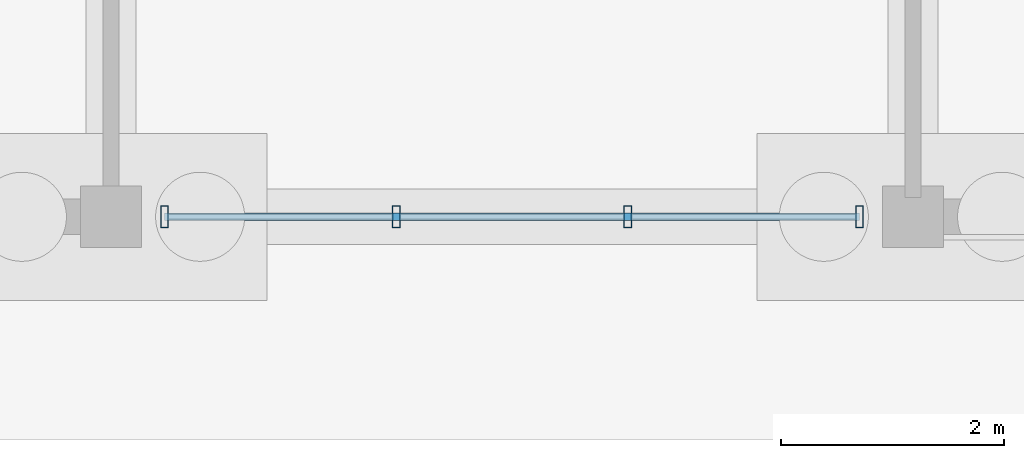
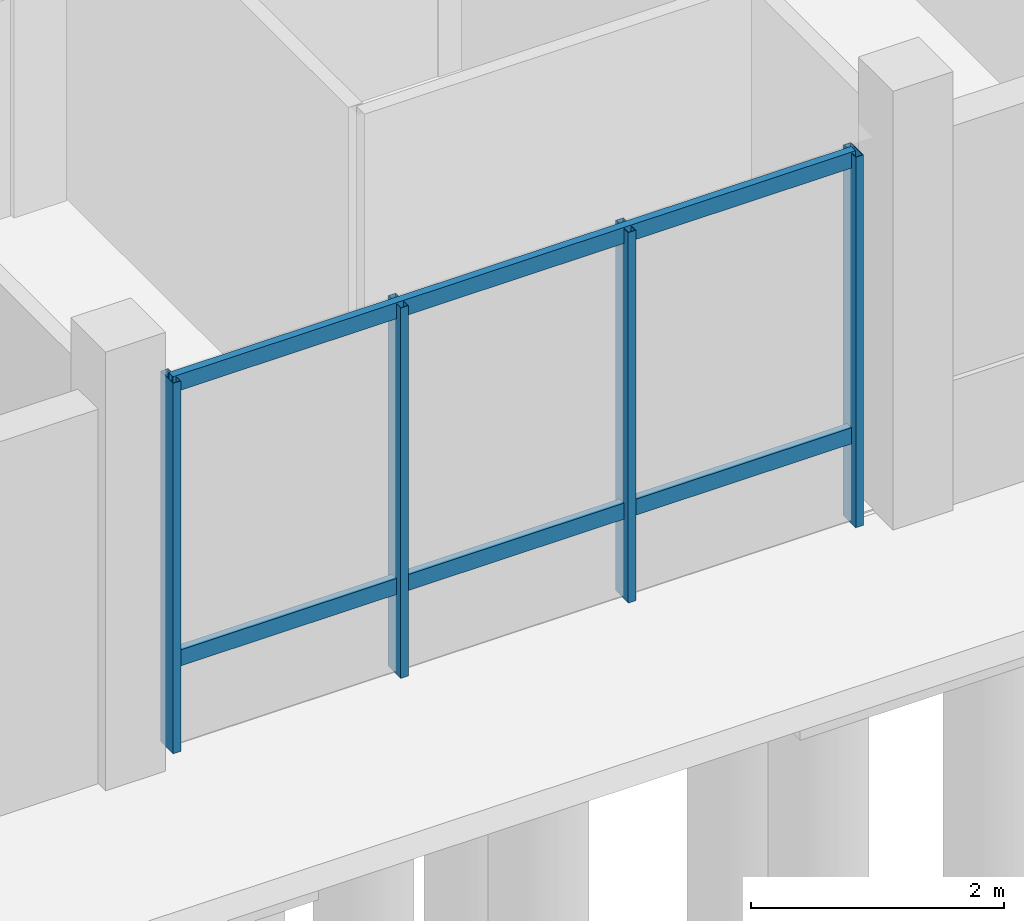
# One storey, part 46 of 98: 6 members, 1 element without a shape of its own.
"""IFC4 building model written with IfcOpenShell, lengths in metres."""

from ifc_helpers import new_model, si_unit, direction, frame, origin, origin_2d, place, context, subcontext, project, spatial, hollow_rectangle, extrude, material, material_profile, profile_set, type_object, element, aggregate, save


model = new_model("IFC4")

# Units and contexts
model_context = context("Model", 3, precision=1e-05, world=origin(), true_north=direction((0.0, 1.0)))
body_context = subcontext(model_context, "Body", "Model", "MODEL_VIEW")
ifc_project = project(units=[si_unit("LENGTHUNIT", "METRE"), si_unit("AREAUNIT", "SQUARE_METRE"), si_unit("VOLUMEUNIT", "CUBIC_METRE"), si_unit("PLANEANGLEUNIT", "RADIAN"), si_unit("MASSUNIT", "GRAM", prefix="KILO")], contexts=[model_context])

# Site, building, storey
site_placement = place(None, origin())
site = spatial("IfcSite", under=ifc_project, at=site_placement, CompositionType="ELEMENT")
building_placement = place(site_placement, origin())
building = spatial("IfcBuilding", under=site, at=building_placement, Name="Zornivar Specialist Clinic", CompositionType="ELEMENT")
storey_placement = place(building_placement, origin())
storey = spatial("IfcBuildingStorey", under=building, at=storey_placement, Name="L00", CompositionType="ELEMENT", Elevation=0.0)

# Curtain wall, members
ifc_material_1 = material(Name="Aluminium and Low-E Glass Curtain Wall", Category="aluminium")
curtain_wall_type = type_object("IfcCurtainWallType", Name="CW-WINTERGARDEN", PredefinedType="NOTDEFINED", material=ifc_material_1)
curtain_wall_placement = place(storey_placement, origin())
curtain_wall = element("IfcCurtainWall", 1, at=curtain_wall_placement, inside=storey, type_object=curtain_wall_type, Name="cw:V4:L00:03", PredefinedType="NOTDEFINED")
ifc_material_2 = material(Name="Aluminium AW-6060", Category="aluminium")
ifc_material_profile_1 = material_profile(ifc_material_2, hollow_rectangle(XDim=0.070068359375, YDim=0.199951171875, WallThickness=0.0048828125, at=origin_2d()), Name="ALU 70x200x5")
ifc_profile_set_1 = profile_set([ifc_material_profile_1], Name="Aluminium AW-6060")
member_type_1 = type_object("IfcMemberType", Name="CWM-MUL-200", PredefinedType="MULLION", material=ifc_profile_set_1)
member_1_placement = place(storey_placement, frame((144.47998046875, 0.0, 0.0), z_axis=(0.0, 0.0, 1.0), x_axis=(1.0, 0.0, 0.0)))
member_1 = element("IfcMember", 2, at=member_1_placement, type_object=member_type_1, Name="cw:V4:L00:03:mul:0", PredefinedType="MULLION", context=body_context, shape_type="SweptSolid", body=[
    extrude(hollow_rectangle(XDim=0.070068359375, YDim=0.199951171875, WallThickness=0.0048828125, at=origin_2d()), origin(), (0.0, 0.0, 1.0), 3.580078125),
])
member_2_placement = place(storey_placement, frame((146.56005859375, 0.0, 0.0), z_axis=(0.0, 0.0, 1.0), x_axis=(1.0, 0.0, 0.0)))
member_2 = element("IfcMember", 3, at=member_2_placement, type_object=member_type_1, Name="cw:V4:L00:03:mul:1", PredefinedType="MULLION", context=body_context, shape_type="SweptSolid", body=[
    extrude(hollow_rectangle(XDim=0.070068359375, YDim=0.199951171875, WallThickness=0.0048828125, at=origin_2d()), origin(), (0.0, 0.0, 1.0), 3.580078125),
])
member_3_placement = place(storey_placement, frame((148.639892578125, 0.0, 0.0), z_axis=(0.0, 0.0, 1.0), x_axis=(1.0, 0.0, 0.0)))
member_3 = element("IfcMember", 4, at=member_3_placement, type_object=member_type_1, Name="cw:V4:L00:03:mul:2", PredefinedType="MULLION", context=body_context, shape_type="SweptSolid", body=[
    extrude(hollow_rectangle(XDim=0.070068359375, YDim=0.199951171875, WallThickness=0.0048828125, at=origin_2d()), origin(), (0.0, 0.0, 1.0), 3.580078125),
])
member_4_placement = place(storey_placement, frame((150.719970703125, 0.0, 0.0), z_axis=(0.0, 0.0, 1.0), x_axis=(1.0, 0.0, 0.0)))
member_4 = element("IfcMember", 5, at=member_4_placement, type_object=member_type_1, Name="cw:V4:L00:03:mul:3", PredefinedType="MULLION", context=body_context, shape_type="SweptSolid", body=[
    extrude(hollow_rectangle(XDim=0.070068359375, YDim=0.199951171875, WallThickness=0.0048828125, at=origin_2d()), origin(), (0.0, 0.0, 1.0), 3.580078125),
])
ifc_material_3 = material(Name="Aluminium AW-6060", Category="aluminium")
ifc_material_profile_2 = material_profile(ifc_material_3, hollow_rectangle(XDim=0.070068359375, YDim=0.155029296875, WallThickness=0.00439453125, at=origin_2d()), Name="ALU 70x155x4.5")
ifc_profile_set_2 = profile_set([ifc_material_profile_2], Name="Aluminium AW-6060")
member_type_2 = type_object("IfcMemberType", Name="CWM-TRN-155", PredefinedType="USERDEFINED", material=ifc_profile_set_2)
member_5_placement = place(storey_placement, frame((144.47998046875, 0.0, 0.85009765625), z_axis=(1.0, 0.0, 0.0), x_axis=(0.0, 1.0, 0.0)))
member_5 = element("IfcMember", 6, at=member_5_placement, type_object=member_type_2, Name="cw:V4:L00:03:trn:0", ObjectType="TRANSOM", PredefinedType="USERDEFINED", context=body_context, shape_type="SweptSolid", body=[
    extrude(hollow_rectangle(XDim=0.070068359375, YDim=0.155029296875, WallThickness=0.00439453125, at=origin_2d()), origin(), (0.0, 0.0, 1.0), 6.239990234375),
])
member_6_placement = place(storey_placement, frame((144.47998046875, 0.0, 3.514892578125), z_axis=(1.0, 0.0, 0.0), x_axis=(0.0, 1.0, 0.0)))
member_6 = element("IfcMember", 7, at=member_6_placement, type_object=member_type_2, Name="cw:V4:L00:03:trn:1", ObjectType="TRANSOM", PredefinedType="USERDEFINED", context=body_context, shape_type="SweptSolid", body=[
    extrude(hollow_rectangle(XDim=0.070068359375, YDim=0.155029296875, WallThickness=0.00439453125, at=origin_2d()), origin(), (0.0, 0.0, 1.0), 6.239990234375),
])
aggregate(curtain_wall, [member_1, member_2, member_3, member_4, member_5, member_6])

save(model, "model.ifc")
